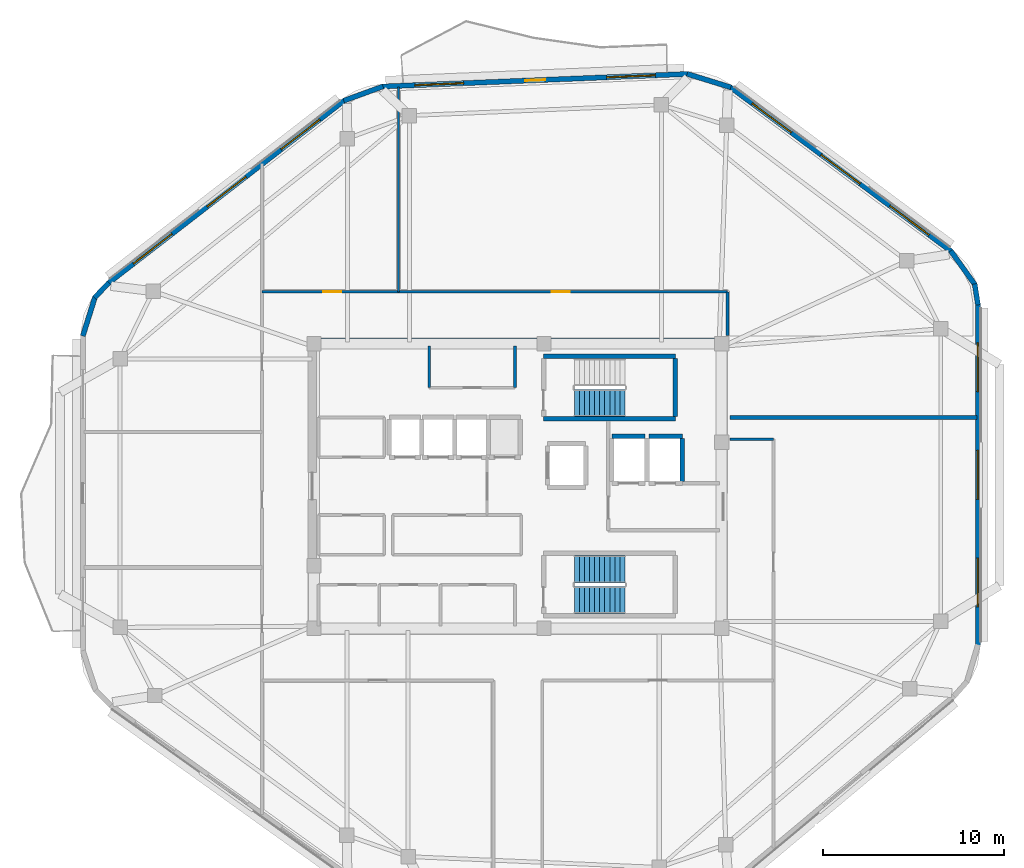
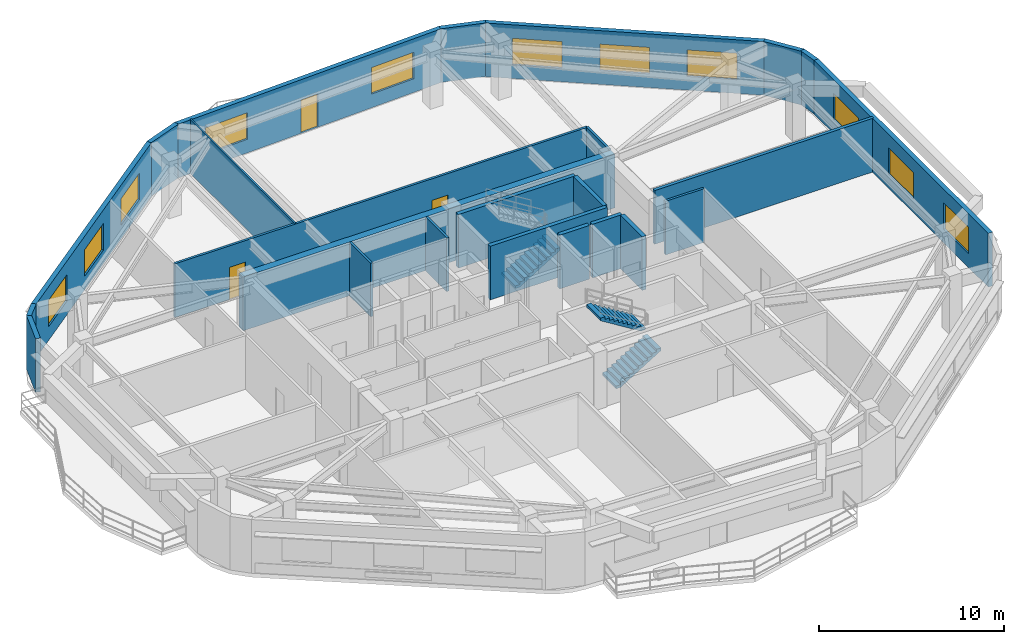
# One storey, part 5 of 10: 24 walls, 11 windows, 3 doors, 3 stair flights, 14 openings, 2 elements without a shape of their own.
"""IFC4 building model written with IfcOpenShell, lengths in metres."""

from ifc_helpers import new_model, si_unit, direction, frame, frame_2d, origin, place, context, subcontext, project, spatial, polyline, rectangle, outline, extrude, material, layer, layer_set, type_object, element, fill, aggregate, save


model = new_model("IFC4")

# Units and contexts
model_context = context("Model", 3, precision=1e-05, world=origin(), true_north=direction((0.0, 1.0)))
body_context = subcontext(model_context, "Body", "Model", "MODEL_VIEW")
ifc_project = project(units=[si_unit("LENGTHUNIT", "METRE"), si_unit("AREAUNIT", "SQUARE_METRE"), si_unit("VOLUMEUNIT", "CUBIC_METRE"), si_unit("PLANEANGLEUNIT", "RADIAN"), si_unit("MASSUNIT", "GRAM", prefix="KILO")], contexts=[model_context])

# Site, building, storey
site_placement = place(None, origin())
site = spatial("IfcSite", under=ifc_project, at=site_placement, CompositionType="ELEMENT")
building_placement = place(site_placement, origin())
building = spatial("IfcBuilding", under=site, at=building_placement, Name="Zulverin Broadcast Headquarters", CompositionType="ELEMENT")
storey_placement = place(building_placement, frame((0.0, 0.0, 282.0)))
storey = spatial("IfcBuildingStorey", under=building, at=storey_placement, Name="L72", CompositionType="ELEMENT", Elevation=282.0)

# Walls
ifc_material_1 = material(Name="Acoustic drywall steel stud", Category="steel")
ifc_layer_1 = layer(ifc_material_1, 0.199951171875, Name="Acoustic drywall steel stud", Category="steel")
ifc_layer_set_1 = layer_set([ifc_layer_1], Name="Acoustic drywall steel stud")
wall_type_1 = type_object("IfcWallType", Name="WL-ACOU-200", PredefinedType="PARTITIONING", material=ifc_layer_set_1)
wall_1_placement = place(storey_placement, frame((48.739990234375, 29.0, 0.0), z_axis=(0.0, 0.0, 1.0), x_axis=(1.0, 0.0, 0.0)))
element("IfcWall", 1, at=wall_1_placement, inside=storey, type_object=wall_type_1, Name="L72 Room Partition Wall RP-12", PredefinedType="PARTITIONING", context=body_context, shape_type="SweptSolid", body=[
    extrude(rectangle(XDim=13.655029296875, YDim=0.199951171875, at=frame_2d((6.82763671875, 0.0))), origin(), (0.0, 0.0, 1.0), 3.5400390625),
])
ifc_material_2 = material(Name="Concrete C50/60", Category="concrete")
ifc_layer_2 = layer(ifc_material_2, 0.449951171875, Name="Concrete C50/60", Category="concrete")
ifc_layer_set_2 = layer_set([ifc_layer_2], Name="Concrete C50/60")
wall_type_2 = type_object("IfcWallType", Name="WL-CORE-450", PredefinedType="SHEAR", material=ifc_layer_set_2)
wall_2_placement = place(storey_placement, frame((25.39990234375, 33.175048828125, 0.0), z_axis=(0.0, 0.0, 1.0), x_axis=(1.0, 0.0, 0.0)))
element("IfcWall", 2, at=wall_2_placement, inside=storey, type_object=wall_type_2, Name="L72 Core North Shear Wall", PredefinedType="SHEAR", context=body_context, shape_type="SweptSolid", body=[
    extrude(rectangle(XDim=23.2001953125, YDim=0.449951171875, at=frame_2d((11.60009765625, 0.0))), origin(), (0.0, 0.0, 1.0), 3.5400390625),
])

# Wall, openings, windows
ifc_material_3 = material(Name="Insulated pale-metal clad concrete spandrel C40/50", Category="concrete")
ifc_layer_3 = layer(ifc_material_3, 0.280029296875, Name="Insulated pale-metal clad concrete spandrel C40/50", Category="concrete")
ifc_layer_set_3 = layer_set([ifc_layer_3], Name="Insulated pale-metal clad concrete spandrel C40/50")
wall_type_3 = type_object("IfcWallType", Name="WL-EXT-280", PredefinedType="STANDARD", material=ifc_layer_set_3)
wall_3_placement = place(storey_placement, frame((62.4599609375, 16.3955078125, 0.0), z_axis=(0.0, 0.0, 1.0), x_axis=(0.0, 1.0, 0.0)))
wall_3 = element("IfcWall", 3, at=wall_3_placement, inside=storey, type_object=wall_type_3, Name="L72 Pale-Metal Clad Spandrel Wall 3", PredefinedType="STANDARD", context=body_context, shape_type="SweptSolid", body=[
    extrude(rectangle(XDim=18.8544921875, YDim=0.280029296875, at=frame_2d((9.42724609375, 0.0))), origin(), (0.0, 0.0, 1.0), 3.5400390625),
])
opening_1_placement = place(wall_3_placement, frame((2.125732421875, 0.0, 0.89990234375)))
opening_1 = element("IfcOpeningElement", 4, at=opening_1_placement, cuts=wall_3, Name="Opening W-L72-E31", PredefinedType="OPENING", context=body_context, shape_type="SweptSolid", body=[
    extrude(rectangle(XDim=2.699951171875, YDim=1.75, at=frame_2d((1.35009765625, 0.875))), frame((0.0, 0.14990234375, 0.0), z_axis=(0.0, -1.0, 0.0), x_axis=(1.0, 0.0, 0.0)), (0.0, 0.0, 1.0), 0.300048828125),
])
opening_2_placement = place(wall_3_placement, frame((8.077392578125, 0.0, 0.89990234375)))
opening_2 = element("IfcOpeningElement", 5, at=opening_2_placement, cuts=wall_3, Name="Opening W-L72-E32", PredefinedType="OPENING", context=body_context, shape_type="SweptSolid", body=[
    extrude(rectangle(XDim=2.699951171875, YDim=1.75, at=frame_2d((1.35009765625, 0.875))), frame((0.0, 0.14990234375, 0.0), z_axis=(0.0, -1.0, 0.0), x_axis=(1.0, 0.0, 0.0)), (0.0, 0.0, 1.0), 0.300048828125),
])
opening_3_placement = place(wall_3_placement, frame((14.02880859375, 0.0, 0.89990234375)))
opening_3 = element("IfcOpeningElement", 6, at=opening_3_placement, cuts=wall_3, Name="Opening W-L72-E33", PredefinedType="OPENING", context=body_context, shape_type="SweptSolid", body=[
    extrude(rectangle(XDim=2.699951171875, YDim=1.75, at=frame_2d((1.35009765625, 0.875))), frame((0.0, 0.14990234375, 0.0), z_axis=(0.0, -1.0, 0.0), x_axis=(1.0, 0.0, 0.0)), (0.0, 0.0, 1.0), 0.300048828125),
])
ifc_material_4 = material(Name="Pale anodized aluminium frame with solar-control low-E double glazing", Category="aluminium")
window_type = type_object("IfcWindowType", Name="WIN-TWR-2700", PartitioningType="SINGLE_PANEL", PredefinedType="WINDOW", material=ifc_material_4)
window_1_placement = place(opening_1_placement, origin())
window_1 = element("IfcWindow", 7, at=window_1_placement, inside=storey, type_object=window_type, Name="L72 Ribbon Glazing Window 3 1", OverallHeight=1.75, OverallWidth=2.699951171875, PartitioningType="SINGLE_PANEL", PredefinedType="WINDOW", context=body_context, shape_type="SweptSolid", body=[
    extrude(rectangle(XDim=2.699951171875, YDim=1.75, at=frame_2d((1.35009765625, 0.875))), frame((0.0, 0.030029296875, 0.0), z_axis=(0.0, -1.0, 0.0), x_axis=(1.0, 0.0, 0.0)), (0.0, 0.0, 1.0), 0.06005859375),
])
fill(opening_1, window_1)
window_2_placement = place(opening_2_placement, origin())
window_2 = element("IfcWindow", 8, at=window_2_placement, inside=storey, type_object=window_type, Name="L72 Ribbon Glazing Window 3 2", OverallHeight=1.75, OverallWidth=2.699951171875, PartitioningType="SINGLE_PANEL", PredefinedType="WINDOW", context=body_context, shape_type="SweptSolid", body=[
    extrude(rectangle(XDim=2.699951171875, YDim=1.75, at=frame_2d((1.35009765625, 0.875))), frame((0.0, 0.030029296875, 0.0), z_axis=(0.0, -1.0, 0.0), x_axis=(1.0, 0.0, 0.0)), (0.0, 0.0, 1.0), 0.06005859375),
])
fill(opening_2, window_2)
window_3_placement = place(opening_3_placement, origin())
window_3 = element("IfcWindow", 9, at=window_3_placement, inside=storey, type_object=window_type, Name="L72 Ribbon Glazing Window 3 3", OverallHeight=1.75, OverallWidth=2.699951171875, PartitioningType="SINGLE_PANEL", PredefinedType="WINDOW", context=body_context, shape_type="SweptSolid", body=[
    extrude(rectangle(XDim=2.699951171875, YDim=1.75, at=frame_2d((1.35009765625, 0.875))), frame((0.0, 0.030029296875, 0.0), z_axis=(0.0, -1.0, 0.0), x_axis=(1.0, 0.0, 0.0)), (0.0, 0.0, 1.0), 0.06005859375),
])
fill(opening_3, window_3)

wall_4_placement = place(storey_placement, frame((60.98388671875, 38.187255859375, 0.0), z_axis=(0.0, 0.0, 1.0), x_axis=(-0.802485144343, 0.596672098484, 0.0)))
wall_4 = element("IfcWall", 10, at=wall_4_placement, inside=storey, type_object=wall_type_3, Name="L72 Pale-Metal Clad Spandrel Wall 4", PredefinedType="STANDARD", context=body_context, shape_type="SweptSolid", body=[
    extrude(rectangle(XDim=15.247802734375, YDim=0.280029296875, at=frame_2d((7.6240234375, 0.0))), origin(), (0.0, 0.0, 1.0), 3.5400390625),
])
opening_4_placement = place(wall_4_placement, frame((1.524658203125, 0.0, 0.89990234375)))
opening_4 = element("IfcOpeningElement", 11, at=opening_4_placement, cuts=wall_4, Name="Opening W-L72-E41", PredefinedType="OPENING", context=body_context, shape_type="SweptSolid", body=[
    extrude(rectangle(XDim=2.699951171875, YDim=1.75, at=frame_2d((1.35009765625, 0.875))), frame((0.0, 0.14990234375, 0.0), z_axis=(0.0, -1.0, 0.0), x_axis=(1.0, 0.0, 0.0)), (0.0, 0.0, 1.0), 0.300048828125),
])
opening_5_placement = place(wall_4_placement, frame((6.273681640625, 0.0, 0.89990234375)))
opening_5 = element("IfcOpeningElement", 12, at=opening_5_placement, cuts=wall_4, Name="Opening W-L72-E42", PredefinedType="OPENING", context=body_context, shape_type="SweptSolid", body=[
    extrude(rectangle(XDim=2.699951171875, YDim=1.75, at=frame_2d((1.35009765625, 0.875))), frame((0.0, 0.14990234375, 0.0), z_axis=(0.0, -1.0, 0.0), x_axis=(1.0, 0.0, 0.0)), (0.0, 0.0, 1.0), 0.300048828125),
])
opening_6_placement = place(wall_4_placement, frame((11.02294921875, 0.0, 0.89990234375)))
opening_6 = element("IfcOpeningElement", 13, at=opening_6_placement, cuts=wall_4, Name="Opening W-L72-E43", PredefinedType="OPENING", context=body_context, shape_type="SweptSolid", body=[
    extrude(rectangle(XDim=2.699951171875, YDim=1.75, at=frame_2d((1.35009765625, 0.875))), frame((0.0, 0.14990234375, 0.0), z_axis=(0.0, -1.0, 0.0), x_axis=(1.0, 0.0, 0.0)), (0.0, 0.0, 1.0), 0.300048828125),
])
window_4_placement = place(opening_4_placement, origin())
window_4 = element("IfcWindow", 14, at=window_4_placement, inside=storey, type_object=window_type, Name="L72 Ribbon Glazing Window 4 1", OverallHeight=1.75, OverallWidth=2.699951171875, PartitioningType="SINGLE_PANEL", PredefinedType="WINDOW", context=body_context, shape_type="SweptSolid", body=[
    extrude(rectangle(XDim=2.699951171875, YDim=1.75, at=frame_2d((1.35009765625, 0.875))), frame((0.0, 0.030029296875, 0.0), z_axis=(0.0, -1.0, 0.0), x_axis=(1.0, 0.0, 0.0)), (0.0, 0.0, 1.0), 0.06005859375),
])
fill(opening_4, window_4)
window_5_placement = place(opening_5_placement, origin())
window_5 = element("IfcWindow", 15, at=window_5_placement, inside=storey, type_object=window_type, Name="L72 Ribbon Glazing Window 4 2", OverallHeight=1.75, OverallWidth=2.699951171875, PartitioningType="SINGLE_PANEL", PredefinedType="WINDOW", context=body_context, shape_type="SweptSolid", body=[
    extrude(rectangle(XDim=2.699951171875, YDim=1.75, at=frame_2d((1.35009765625, 0.875))), frame((0.0, 0.030029296875, 0.0), z_axis=(0.0, -1.0, 0.0), x_axis=(1.0, 0.0, 0.0)), (0.0, 0.0, 1.0), 0.06005859375),
])
fill(opening_5, window_5)
window_6_placement = place(opening_6_placement, origin())
window_6 = element("IfcWindow", 16, at=window_6_placement, inside=storey, type_object=window_type, Name="L72 Ribbon Glazing Window 4 3", OverallHeight=1.75, OverallWidth=2.699951171875, PartitioningType="SINGLE_PANEL", PredefinedType="WINDOW", context=body_context, shape_type="SweptSolid", body=[
    extrude(rectangle(XDim=2.699951171875, YDim=1.75, at=frame_2d((1.35009765625, 0.875))), frame((0.0, 0.030029296875, 0.0), z_axis=(0.0, -1.0, 0.0), x_axis=(1.0, 0.0, 0.0)), (0.0, 0.0, 1.0), 0.06005859375),
])
fill(opening_6, window_6)

# Wall, openings, door, windows
wall_5_placement = place(storey_placement, frame((46.413818359375, 48.0048828125, 0.0), z_axis=(0.0, 0.0, 1.0), x_axis=(-0.999156194126, -0.041071885021, 0.0)))
wall_5 = element("IfcWall", 17, at=wall_5_placement, inside=storey, type_object=wall_type_3, Name="L72 Pale-Metal Clad Spandrel Wall 5", PredefinedType="STANDARD", context=body_context, shape_type="SweptSolid", body=[
    extrude(rectangle(XDim=16.923095703125, YDim=0.280029296875, at=frame_2d((8.46142578125, 0.0))), origin(), (0.0, 0.0, 1.0), 3.5400390625),
])
opening_7_placement = place(wall_5_placement, frame((7.91162109375, 0.0, 0.0)))
opening_7 = element("IfcOpeningElement", 18, at=opening_7_placement, cuts=wall_5, Name="Opening D-L72-TR5", PredefinedType="OPENING", context=body_context, shape_type="SweptSolid", body=[
    extrude(rectangle(XDim=1.10009765625, YDim=2.199951171875, at=frame_2d((0.550048828125, 1.10009765625))), frame((0.0, 0.14990234375, 0.0), z_axis=(0.0, -1.0, 0.0), x_axis=(1.0, 0.0, 0.0)), (0.0, 0.0, 1.0), 0.300048828125),
])
opening_8_placement = place(wall_5_placement, frame((1.8037109375, 0.0, 0.89990234375)))
opening_8 = element("IfcOpeningElement", 19, at=opening_8_placement, cuts=wall_5, Name="Opening W-L72-E51", PredefinedType="OPENING", context=body_context, shape_type="SweptSolid", body=[
    extrude(rectangle(XDim=2.699951171875, YDim=1.75, at=frame_2d((1.35009765625, 0.875))), frame((0.0, 0.14990234375, 0.0), z_axis=(0.0, -1.0, 0.0), x_axis=(1.0, 0.0, 0.0)), (0.0, 0.0, 1.0), 0.300048828125),
])
opening_9_placement = place(wall_5_placement, frame((12.419189453125, 0.0, 0.89990234375)))
opening_9 = element("IfcOpeningElement", 20, at=opening_9_placement, cuts=wall_5, Name="Opening W-L72-E52", PredefinedType="OPENING", context=body_context, shape_type="SweptSolid", body=[
    extrude(rectangle(XDim=2.699951171875, YDim=1.75, at=frame_2d((1.35009765625, 0.875))), frame((0.0, 0.14990234375, 0.0), z_axis=(0.0, -1.0, 0.0), x_axis=(1.0, 0.0, 0.0)), (0.0, 0.0, 1.0), 0.300048828125),
])
ifc_material_5 = material(Name="Thermally broken aluminium glazed", Category="aluminium")
door_type_1 = type_object("IfcDoorType", Name="DR-TERR-1100", OperationType="SINGLE_SWING_RIGHT", PredefinedType="DOOR", material=ifc_material_5)
door_1_placement = place(opening_7_placement, origin())
door_1 = element("IfcDoor", 21, at=door_1_placement, inside=storey, type_object=door_type_1, Name="L72 Planted Terrace Glazed Access Door 5", OperationType="SINGLE_SWING_RIGHT", OverallHeight=2.199951171875, OverallWidth=1.10009765625, PredefinedType="DOOR", context=body_context, shape_type="SweptSolid", body=[
    extrude(rectangle(XDim=1.10009765625, YDim=2.199951171875, at=frame_2d((0.550048828125, 1.10009765625))), frame((0.0, 0.02490234375, 0.0), z_axis=(0.0, -1.0, 0.0), x_axis=(1.0, 0.0, 0.0)), (0.0, 0.0, 1.0), 0.050048828125),
])
fill(opening_7, door_1)
window_7_placement = place(opening_8_placement, origin())
window_7 = element("IfcWindow", 22, at=window_7_placement, inside=storey, type_object=window_type, Name="L72 Ribbon Glazing Window 5 1", OverallHeight=1.75, OverallWidth=2.699951171875, PartitioningType="SINGLE_PANEL", PredefinedType="WINDOW", context=body_context, shape_type="SweptSolid", body=[
    extrude(rectangle(XDim=2.699951171875, YDim=1.75, at=frame_2d((1.35009765625, 0.875))), frame((0.0, 0.030029296875, 0.0), z_axis=(0.0, -1.0, 0.0), x_axis=(1.0, 0.0, 0.0)), (0.0, 0.0, 1.0), 0.06005859375),
])
fill(opening_8, window_7)
window_8_placement = place(opening_9_placement, origin())
window_8 = element("IfcWindow", 23, at=window_8_placement, inside=storey, type_object=window_type, Name="L72 Ribbon Glazing Window 5 2", OverallHeight=1.75, OverallWidth=2.699951171875, PartitioningType="SINGLE_PANEL", PredefinedType="WINDOW", context=body_context, shape_type="SweptSolid", body=[
    extrude(rectangle(XDim=2.699951171875, YDim=1.75, at=frame_2d((1.35009765625, 0.875))), frame((0.0, 0.030029296875, 0.0), z_axis=(0.0, -1.0, 0.0), x_axis=(1.0, 0.0, 0.0)), (0.0, 0.0, 1.0), 0.06005859375),
])
fill(opening_9, window_8)

# Wall, openings, windows
wall_6_placement = place(storey_placement, frame((27.4150390625, 46.54736328125, 0.0), z_axis=(0.0, 0.0, 1.0), x_axis=(-0.790789745248, -0.612087884875, 0.0)))
wall_6 = element("IfcWall", 24, at=wall_6_placement, inside=storey, type_object=wall_type_3, Name="L72 Pale-Metal Clad Spandrel Wall 6", PredefinedType="STANDARD", context=body_context, shape_type="SweptSolid", body=[
    extrude(rectangle(XDim=16.509033203125, YDim=0.280029296875, at=frame_2d((8.25439453125, 0.0))), origin(), (0.0, 0.0, 1.0), 3.5400390625),
])
opening_10_placement = place(wall_6_placement, frame((1.73486328125, 0.0, 0.89990234375)))
opening_10 = element("IfcOpeningElement", 25, at=opening_10_placement, cuts=wall_6, Name="Opening W-L72-E61", PredefinedType="OPENING", context=body_context, shape_type="SweptSolid", body=[
    extrude(rectangle(XDim=2.699951171875, YDim=1.75, at=frame_2d((1.35009765625, 0.875))), frame((0.0, 0.14990234375, 0.0), z_axis=(0.0, -1.0, 0.0), x_axis=(1.0, 0.0, 0.0)), (0.0, 0.0, 1.0), 0.300048828125),
])
opening_11_placement = place(wall_6_placement, frame((6.904541015625, 0.0, 0.89990234375)))
opening_11 = element("IfcOpeningElement", 26, at=opening_11_placement, cuts=wall_6, Name="Opening W-L72-E62", PredefinedType="OPENING", context=body_context, shape_type="SweptSolid", body=[
    extrude(rectangle(XDim=2.699951171875, YDim=1.75, at=frame_2d((1.35009765625, 0.875))), frame((0.0, 0.14990234375, 0.0), z_axis=(0.0, -1.0, 0.0), x_axis=(1.0, 0.0, 0.0)), (0.0, 0.0, 1.0), 0.300048828125),
])
opening_12_placement = place(wall_6_placement, frame((12.07421875, 0.0, 0.89990234375)))
opening_12 = element("IfcOpeningElement", 27, at=opening_12_placement, cuts=wall_6, Name="Opening W-L72-E63", PredefinedType="OPENING", context=body_context, shape_type="SweptSolid", body=[
    extrude(rectangle(XDim=2.699951171875, YDim=1.75, at=frame_2d((1.35009765625, 0.875))), frame((0.0, 0.14990234375, 0.0), z_axis=(0.0, -1.0, 0.0), x_axis=(1.0, 0.0, 0.0)), (0.0, 0.0, 1.0), 0.300048828125),
])
window_9_placement = place(opening_10_placement, origin())
window_9 = element("IfcWindow", 28, at=window_9_placement, inside=storey, type_object=window_type, Name="L72 Ribbon Glazing Window 6 1", OverallHeight=1.75, OverallWidth=2.699951171875, PartitioningType="SINGLE_PANEL", PredefinedType="WINDOW", context=body_context, shape_type="SweptSolid", body=[
    extrude(rectangle(XDim=2.699951171875, YDim=1.75, at=frame_2d((1.35009765625, 0.875))), frame((0.0, 0.030029296875, 0.0), z_axis=(0.0, -1.0, 0.0), x_axis=(1.0, 0.0, 0.0)), (0.0, 0.0, 1.0), 0.06005859375),
])
fill(opening_10, window_9)
window_10_placement = place(opening_11_placement, origin())
window_10 = element("IfcWindow", 29, at=window_10_placement, inside=storey, type_object=window_type, Name="L72 Ribbon Glazing Window 6 2", OverallHeight=1.75, OverallWidth=2.699951171875, PartitioningType="SINGLE_PANEL", PredefinedType="WINDOW", context=body_context, shape_type="SweptSolid", body=[
    extrude(rectangle(XDim=2.699951171875, YDim=1.75, at=frame_2d((1.35009765625, 0.875))), frame((0.0, 0.030029296875, 0.0), z_axis=(0.0, -1.0, 0.0), x_axis=(1.0, 0.0, 0.0)), (0.0, 0.0, 1.0), 0.06005859375),
])
fill(opening_11, window_10)
window_11_placement = place(opening_12_placement, origin())
window_11 = element("IfcWindow", 30, at=window_11_placement, inside=storey, type_object=window_type, Name="L72 Ribbon Glazing Window 6 3", OverallHeight=1.75, OverallWidth=2.699951171875, PartitioningType="SINGLE_PANEL", PredefinedType="WINDOW", context=body_context, shape_type="SweptSolid", body=[
    extrude(rectangle(XDim=2.699951171875, YDim=1.75, at=frame_2d((1.35009765625, 0.875))), frame((0.0, 0.030029296875, 0.0), z_axis=(0.0, -1.0, 0.0), x_axis=(1.0, 0.0, 0.0)), (0.0, 0.0, 1.0), 0.06005859375),
])
fill(opening_12, window_11)

# Walls
wall_7_placement = place(storey_placement, frame((62.461669921875, 35.228515625, 0.0), z_axis=(0.0, 0.0, 1.0), x_axis=(-0.15458604025, 0.987979329824, 0.0)))
element("IfcWall", 31, at=wall_7_placement, inside=storey, type_object=wall_type_3, Name="L72 Wind-Shaped Corner Spandrel Wall 3-1", PredefinedType="STANDARD", context=body_context, shape_type="SweptSolid", body=[
    extrude(rectangle(XDim=1.175048828125, YDim=0.280029296875, at=frame_2d((0.58740234375, 0.0))), origin(), (0.0, 0.0, 1.0), 3.5400390625),
])
wall_8_placement = place(storey_placement, frame((62.304443359375, 36.32958984375, 0.0), z_axis=(0.0, 0.0, 1.0), x_axis=(-0.581795068472, 0.81333541562, 0.0)))
element("IfcWall", 32, at=wall_8_placement, inside=storey, type_object=wall_type_3, Name="L72 Wind-Shaped Corner Spandrel Wall 3-2", PredefinedType="STANDARD", context=body_context, shape_type="SweptSolid", body=[
    extrude(rectangle(XDim=2.32177734375, YDim=0.280029296875, at=frame_2d((1.160888671875, 0.0))), origin(), (0.0, 0.0, 1.0), 3.5400390625),
])
wall_9_placement = place(storey_placement, frame((48.7900390625, 47.263671875, 0.0), z_axis=(0.0, 0.0, 1.0), x_axis=(-0.955593560977, 0.294687879322, 0.0)))
element("IfcWall", 33, at=wall_9_placement, inside=storey, type_object=wall_type_3, Name="L72 Wind-Shaped Corner Spandrel Wall 4-1", PredefinedType="STANDARD", context=body_context, shape_type="SweptSolid", body=[
    extrude(rectangle(XDim=2.535888671875, YDim=0.280029296875, at=frame_2d((1.26806640625, 0.0))), origin(), (0.0, 0.0, 1.0), 3.5400390625),
])
wall_10_placement = place(storey_placement, frame((29.547119140625, 47.318359375, 0.0), z_axis=(0.0, 0.0, 1.0), x_axis=(-0.93940703724, -0.342803760748, 0.0)))
element("IfcWall", 34, at=wall_10_placement, inside=storey, type_object=wall_type_3, Name="L72 Wind-Shaped Corner Spandrel Wall 5-1", PredefinedType="STANDARD", context=body_context, shape_type="SweptSolid", body=[
    extrude(rectangle(XDim=2.3095703125, YDim=0.280029296875, at=frame_2d((1.15478515625, 0.0))), origin(), (0.0, 0.0, 1.0), 3.5400390625),
])
wall_11_placement = place(storey_placement, frame((14.37548828125, 36.45654296875, 0.0), z_axis=(0.0, 0.0, 1.0), x_axis=(-0.68895569752, -0.724803453948, 0.0)))
element("IfcWall", 35, at=wall_11_placement, inside=storey, type_object=wall_type_3, Name="L72 Wind-Shaped Corner Spandrel Wall 6-1", PredefinedType="STANDARD", context=body_context, shape_type="SweptSolid", body=[
    extrude(rectangle(XDim=1.15087890625, YDim=0.280029296875, at=frame_2d((0.575439453125, 0.0))), origin(), (0.0, 0.0, 1.0), 3.5400390625),
])
wall_12_placement = place(storey_placement, frame((13.61474609375, 35.677001953125, 0.0), z_axis=(0.0, 0.0, 1.0), x_axis=(-0.299374552426, -0.954135670311, 0.0)))
element("IfcWall", 36, at=wall_12_placement, inside=storey, type_object=wall_type_3, Name="L72 Wind-Shaped Corner Spandrel Wall 6-2", PredefinedType="STANDARD", context=body_context, shape_type="SweptSolid", body=[
    extrude(rectangle(XDim=2.275146484375, YDim=0.280029296875, at=frame_2d((1.1376953125, 0.0))), origin(), (0.0, 0.0, 1.0), 3.5400390625),
])
ifc_material_6 = material(Name="Fire-rated acoustic laminated glass screen", Category="glass")
ifc_layer_4 = layer(ifc_material_6, 0.10009765625, Name="Fire-rated acoustic laminated glass screen", Category="glass")
ifc_layer_set_4 = layer_set([ifc_layer_4], Name="Fire-rated acoustic laminated glass screen")
wall_type_4 = type_object("IfcWallType", Name="WL-GLAZ-100", PredefinedType="PARTITIONING", material=ifc_layer_set_4)
wall_13_placement = place(storey_placement, frame((30.39990234375, 35.949951171875, 0.0), z_axis=(0.0, 0.0, 1.0), x_axis=(0.0, 1.0, 0.0)))
element("IfcWall", 37, at=wall_13_placement, inside=storey, type_object=wall_type_4, Name="L72 Room Partition Wall RP-05", PredefinedType="PARTITIONING", context=body_context, shape_type="SweptSolid", body=[
    extrude(rectangle(XDim=11.331787109375, YDim=0.10009765625, at=frame_2d((5.666015625, 0.0))), origin(), (0.0, 0.0, 1.0), 3.5400390625),
])
ifc_material_7 = material(Name="Fire-rated gypsum stud partition", Category="gypsum")
ifc_layer_5 = layer(ifc_material_7, 0.14990234375, Name="Fire-rated gypsum stud partition", Category="gypsum")
ifc_layer_set_5 = layer_set([ifc_layer_5], Name="Fire-rated gypsum stud partition")
wall_type_5 = type_object("IfcWallType", Name="WL-PART-150", PredefinedType="PARTITIONING", material=ifc_layer_set_5)
for number, where, z_axis, x_axis, name in (
    (38, (32.10009765625, 30.64990234375, 0.0), (0.0, 0.0, 1.0), (0.0, 1.0, 0.0), "L72 Core Accessible WC & Electrical Riser West Wall"),
    (39, (36.85009765625, 30.64990234375, 0.0), (0.0, 0.0, 1.0), (0.0, 1.0, 0.0), "L72 Core Accessible WC & Electrical Riser East Wall"),
):
    element("IfcWall", number, at=place(storey_placement, frame(where, z_axis=z_axis, x_axis=x_axis)), inside=storey, type_object=wall_type_5, Name=name, PredefinedType="PARTITIONING", context=body_context, shape_type="SweptSolid", body=[
        extrude(rectangle(XDim=2.300048828125, YDim=0.14990234375, at=frame_2d((1.14990234375, 0.0))), origin(), (0.0, 0.0, 1.0), 3.5400390625),
    ])
for number, where, z_axis, x_axis, name in (
    (40, (48.60009765625, 33.5400390625, 0.0), (0.0, 0.0, 1.0), (0.0, 1.0, 0.0), "L72 Gallery Partition Wall CG-02"),
    (41, (48.739990234375, 27.800048828125, 0.0), (0.0, 0.0, 1.0), (1.0, 0.0, 0.0), "L72 Gallery Partition Wall CG-10"),
):
    element("IfcWall", number, at=place(storey_placement, frame(where, z_axis=z_axis, x_axis=x_axis)), inside=storey, type_object=wall_type_5, Name=name, PredefinedType="PARTITIONING", context=body_context, shape_type="SweptSolid", body=[
        extrude(rectangle(XDim=2.409912109375, YDim=0.14990234375, at=frame_2d((1.205078125, 0.0))), origin(), (0.0, 0.0, 1.0), 3.5400390625),
    ])

# Wall, openings, doors
wall_14_placement = place(storey_placement, frame((22.85009765625, 35.949951171875, 0.0), z_axis=(0.0, 0.0, 1.0), x_axis=(1.0, 0.0, 0.0)))
wall_14 = element("IfcWall", 42, at=wall_14_placement, inside=storey, type_object=wall_type_5, Name="L72 Gallery Partition Wall CG-13", PredefinedType="PARTITIONING", context=body_context, shape_type="SweptSolid", body=[
    extrude(rectangle(XDim=25.75, YDim=0.14990234375, at=frame_2d((12.875, 0.0))), origin(), (0.0, 0.0, 1.0), 3.5400390625),
])
opening_13_placement = place(wall_14_placement, frame((3.39501953125, 0.0, 0.0)))
opening_13 = element("IfcOpeningElement", 43, at=opening_13_placement, cuts=wall_14, Name="Opening D-L72-01", PredefinedType="OPENING", context=body_context, shape_type="SweptSolid", body=[
    extrude(rectangle(XDim=1.0, YDim=2.1201171875, at=frame_2d((0.5, 1.06005859375))), frame((0.0, 0.0849609375, 0.0), z_axis=(0.0, -1.0, 0.0), x_axis=(1.0, 0.0, 0.0)), (0.0, 0.0, 1.0), 0.169921875),
])
opening_14_placement = place(wall_14_placement, frame((16.030029296875, 0.0, 0.0)))
opening_14 = element("IfcOpeningElement", 44, at=opening_14_placement, cuts=wall_14, Name="Opening D-L72-02", PredefinedType="OPENING", context=body_context, shape_type="SweptSolid", body=[
    extrude(rectangle(XDim=1.0, YDim=2.1201171875, at=frame_2d((0.5, 1.06005859375))), frame((0.0, 0.0849609375, 0.0), z_axis=(0.0, -1.0, 0.0), x_axis=(1.0, 0.0, 0.0)), (0.0, 0.0, 1.0), 0.169921875),
])
ifc_material_8 = material(Name="Hardwood veneer acoustic leaf", Category="wood")
door_type_2 = type_object("IfcDoorType", Name="DR-OFF-1000", OperationType="SINGLE_SWING_LEFT", PredefinedType="DOOR", material=ifc_material_8)
door_2_placement = place(opening_13_placement, origin())
door_2 = element("IfcDoor", 45, at=door_2_placement, inside=storey, type_object=door_type_2, Name="L72 Executive Producer Office Door", OperationType="SINGLE_SWING_LEFT", OverallHeight=2.1201171875, OverallWidth=1.0, PredefinedType="DOOR", context=body_context, shape_type="SweptSolid", body=[
    extrude(rectangle(XDim=1.0, YDim=2.1201171875, at=frame_2d((0.5, 1.06005859375))), frame((0.0, 0.02490234375, 0.0), z_axis=(0.0, -1.0, 0.0), x_axis=(1.0, 0.0, 0.0)), (0.0, 0.0, 1.0), 0.050048828125),
])
fill(opening_13, door_2)
door_3_placement = place(opening_14_placement, origin())
door_3 = element("IfcDoor", 46, at=door_3_placement, inside=storey, type_object=door_type_2, Name="L72 Editorial Director Office Door", OperationType="SINGLE_SWING_RIGHT", OverallHeight=2.1201171875, OverallWidth=1.0, PredefinedType="DOOR", context=body_context, shape_type="SweptSolid", body=[
    extrude(rectangle(XDim=1.0, YDim=2.1201171875, at=frame_2d((0.5, 1.06005859375))), frame((0.0, 0.02490234375, 0.0), z_axis=(0.0, -1.0, 0.0), x_axis=(1.0, 0.0, 0.0)), (0.0, 0.0, 1.0), 0.050048828125),
])
fill(opening_14, door_3)

# Walls
ifc_layer_6 = layer(ifc_material_2, 0.25, Name="Concrete C50/60", Category="concrete")
ifc_layer_set_6 = layer_set([ifc_layer_6], Name="Concrete C50/60")
wall_type_6 = type_object("IfcWallType", Name="WL-SHAFT-250", PredefinedType="SHEAR", material=ifc_layer_set_6)
for number, where, z_axis, x_axis, name in (
    (47, (38.425048828125, 28.925048828125, 0.0), (0.0, 0.0, 1.0), (1.0, 0.0, 0.0), "L72 ST-1 Enclosure Wall S"),
    (48, (38.425048828125, 32.375, 0.0), (0.0, 0.0, 1.0), (1.0, 0.0, 0.0), "L72 ST-1 Enclosure Wall N"),
):
    element("IfcWall", number, at=place(storey_placement, frame(where, z_axis=z_axis, x_axis=x_axis)), inside=storey, type_object=wall_type_6, Name=name, PredefinedType="SHEAR", context=body_context, shape_type="SweptSolid", body=[
        extrude(rectangle(XDim=7.300048828125, YDim=0.25, at=frame_2d((3.64990234375, 0.0))), origin(), (0.0, 0.0, 1.0), 3.5400390625),
    ])
wall_15_placement = place(storey_placement, frame((45.72509765625, 29.050048828125, 0.0), z_axis=(0.0, 0.0, 1.0), x_axis=(0.0, 1.0, 0.0)))
element("IfcWall", 49, at=wall_15_placement, inside=storey, type_object=wall_type_6, Name="L72 ST-1 Enclosure Wall E", PredefinedType="SHEAR", context=body_context, shape_type="SweptSolid", body=[
    extrude(rectangle(XDim=3.199951171875, YDim=0.25, at=frame_2d((1.60009765625, 0.0))), origin(), (0.0, 0.0, 1.0), 3.5400390625),
])
for number, where, z_axis, x_axis, name in (
    (50, (42.199951171875, 27.949951171875, 0.0), (0.0, 0.0, 1.0), (1.0, 0.0, 0.0), "L72 Lift FFL-1 Shaft Wall N"),
    (51, (44.25, 27.949951171875, 0.0), (0.0, 0.0, 1.0), (1.0, 0.0, 0.0), "L72 Lift FFL-2 Shaft Wall N"),
):
    element("IfcWall", number, at=place(storey_placement, frame(where, z_axis=z_axis, x_axis=x_axis)), inside=storey, type_object=wall_type_6, Name=name, PredefinedType="SHEAR", context=body_context, shape_type="SweptSolid", body=[
        extrude(rectangle(XDim=1.85009765625, YDim=0.25, at=frame_2d((0.925048828125, 0.0))), origin(), (0.0, 0.0, 1.0), 3.5400390625),
    ])
wall_16_placement = place(storey_placement, frame((46.10009765625, 25.469970703125, 0.0), z_axis=(0.0, 0.0, 1.0), x_axis=(0.0, 1.0, 0.0)))
element("IfcWall", 52, at=wall_16_placement, inside=storey, type_object=wall_type_6, Name="L72 Lift FFL-2 Shaft Wall E", PredefinedType="SHEAR", context=body_context, shape_type="SweptSolid", body=[
    extrude(rectangle(XDim=2.360107421875, YDim=0.25, at=frame_2d((1.18017578125, 0.0))), origin(), (0.0, 0.0, 1.0), 3.5400390625),
])

# Stair, stair flight
ifc_material_9 = material(Name="Concrete C40/50", Category="concrete")
stair_type = type_object("IfcStairType", Name="ST-CORE-1500", PredefinedType="HALF_TURN_STAIR", material=ifc_material_9)
stair_1_placement = place(storey_placement, origin())
stair_1 = element("IfcStair", 53, at=stair_1_placement, inside=storey, type_object=stair_type, Name="L72 Core Exit Stair ST-1", PredefinedType="HALF_TURN_STAIR")
stair_flight_type = type_object("IfcStairFlightType", Name="SF-CORE-1500", PredefinedType="STRAIGHT", material=ifc_material_9)
stair_flight_1_placement = place(storey_placement, frame((40.1298828125, 29.800048828125, 0.0), z_axis=(0.0, 0.0, 1.0), x_axis=(1.0, 0.0, 0.0)))
stair_flight_1 = element("IfcStairFlight", 54, at=stair_flight_1_placement, type_object=stair_flight_type, Name="ST-1 flight 1", NumberOfRisers=11, NumberOfTreads=10, PredefinedType="STRAIGHT", RiserHeight=0.172727273, TreadLength=0.28, context=body_context, shape_type="SweptSolid", body=[
    extrude(outline(polyline([(0.0, 0.0), (0.0, 0.172607421875), (0.280029296875, 0.172607421875), (0.280029296875, 0.345458984375), (0.56005859375, 0.345458984375), (0.56005859375, 0.51806640625), (0.840087890625, 0.51806640625), (0.840087890625, 0.69091796875), (1.1201171875, 0.69091796875), (1.1201171875, 0.863525390625), (1.39990234375, 0.863525390625), (1.39990234375, 1.036376953125), (1.679931640625, 1.036376953125), (1.679931640625, 1.208984375), (1.9599609375, 1.208984375), (1.9599609375, 1.3818359375), (2.239990234375, 1.3818359375), (2.239990234375, 1.554443359375), (2.52001953125, 1.554443359375), (2.52001953125, 1.727294921875), (2.800048828125, 1.727294921875), (2.800048828125, 1.89990234375), (2.800048828125, 1.551025390625), (0.285400390625, 0.0), (0.0, 0.0)])), frame((0.0, 0.75, 0.0), z_axis=(0.0, -1.0, 0.0), x_axis=(1.0, 0.0, 0.0)), (0.0, 0.0, 1.0), 1.5),
])
aggregate(stair_1, [stair_flight_1])

# Stair, stair flights
stair_2_placement = place(storey_placement, origin())
stair_2 = element("IfcStair", 55, at=stair_2_placement, inside=storey, type_object=stair_type, Name="L72 Core Exit Stair ST-2", PredefinedType="HALF_TURN_STAIR")
stair_flight_2_placement = place(storey_placement, frame((40.1298828125, 18.89990234375, 0.0), z_axis=(0.0, 0.0, 1.0), x_axis=(1.0, 0.0, 0.0)))
stair_flight_2 = element("IfcStairFlight", 56, at=stair_flight_2_placement, type_object=stair_flight_type, Name="ST-2 flight 1", NumberOfRisers=11, NumberOfTreads=10, PredefinedType="STRAIGHT", RiserHeight=0.172727273, TreadLength=0.28, context=body_context, shape_type="SweptSolid", body=[
    extrude(outline(polyline([(0.0, 0.0), (0.0, 0.172607421875), (0.280029296875, 0.172607421875), (0.280029296875, 0.345458984375), (0.56005859375, 0.345458984375), (0.56005859375, 0.51806640625), (0.840087890625, 0.51806640625), (0.840087890625, 0.69091796875), (1.1201171875, 0.69091796875), (1.1201171875, 0.863525390625), (1.39990234375, 0.863525390625), (1.39990234375, 1.036376953125), (1.679931640625, 1.036376953125), (1.679931640625, 1.208984375), (1.9599609375, 1.208984375), (1.9599609375, 1.3818359375), (2.239990234375, 1.3818359375), (2.239990234375, 1.554443359375), (2.52001953125, 1.554443359375), (2.52001953125, 1.727294921875), (2.800048828125, 1.727294921875), (2.800048828125, 1.89990234375), (2.800048828125, 1.551025390625), (0.285400390625, 0.0), (0.0, 0.0)])), frame((0.0, 0.75, 0.0), z_axis=(0.0, -1.0, 0.0), x_axis=(1.0, 0.0, 0.0)), (0.0, 0.0, 1.0), 1.5),
])
stair_flight_3_placement = place(storey_placement, frame((42.929931640625, 20.60009765625, 1.89990234375), z_axis=(0.0, 0.0, 1.0), x_axis=(-1.0, 0.0, 0.0)))
stair_flight_3 = element("IfcStairFlight", 57, at=stair_flight_3_placement, type_object=stair_flight_type, Name="ST-2 flight 2", NumberOfRisers=11, NumberOfTreads=10, PredefinedType="STRAIGHT", RiserHeight=0.172727273, TreadLength=0.28, context=body_context, shape_type="SweptSolid", body=[
    extrude(outline(polyline([(0.0, 0.0), (0.0, 0.172607421875), (0.280029296875, 0.172607421875), (0.280029296875, 0.345458984375), (0.56005859375, 0.345458984375), (0.56005859375, 0.51806640625), (0.840087890625, 0.51806640625), (0.840087890625, 0.69091796875), (1.1201171875, 0.69091796875), (1.1201171875, 0.863525390625), (1.39990234375, 0.863525390625), (1.39990234375, 1.036376953125), (1.679931640625, 1.036376953125), (1.679931640625, 1.208984375), (1.9599609375, 1.208984375), (1.9599609375, 1.3818359375), (2.239990234375, 1.3818359375), (2.239990234375, 1.554443359375), (2.52001953125, 1.554443359375), (2.52001953125, 1.727294921875), (2.800048828125, 1.727294921875), (2.800048828125, 1.89990234375), (2.800048828125, 1.551025390625), (0.285400390625, 0.0), (0.0, 0.0)])), frame((0.0, 0.75, 0.0), z_axis=(0.0, -1.0, 0.0), x_axis=(1.0, 0.0, 0.0)), (0.0, 0.0, 1.0), 1.5),
])
aggregate(stair_2, [stair_flight_2, stair_flight_3])

save(model, "model.ifc")
